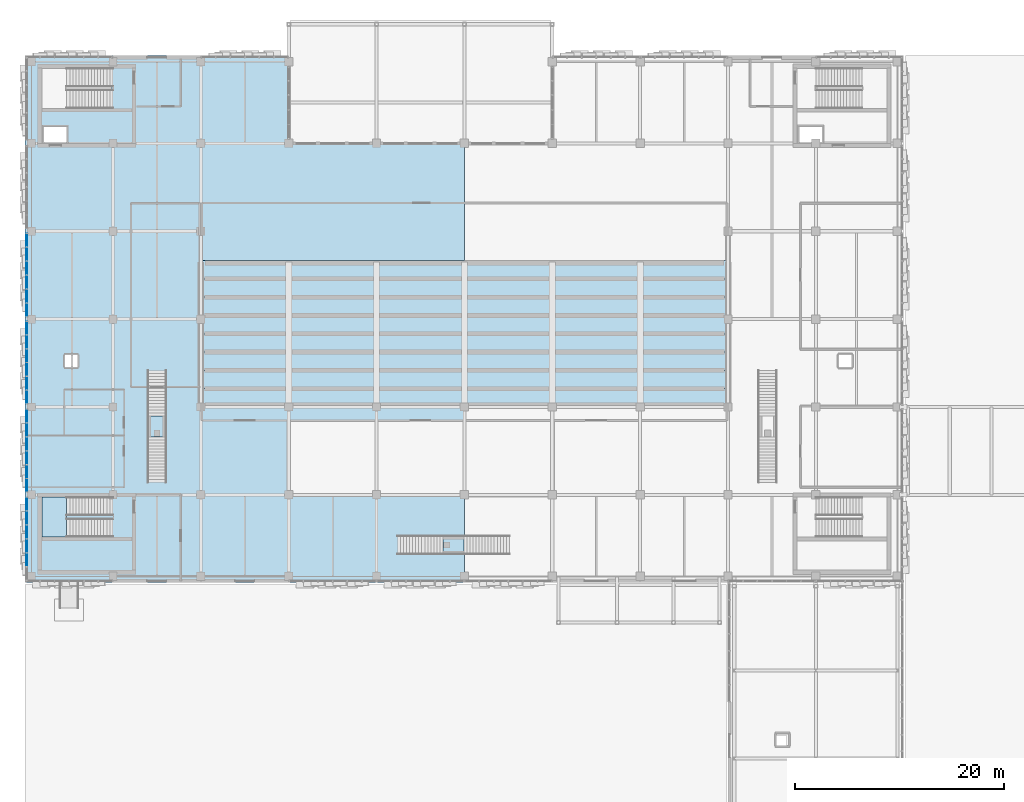
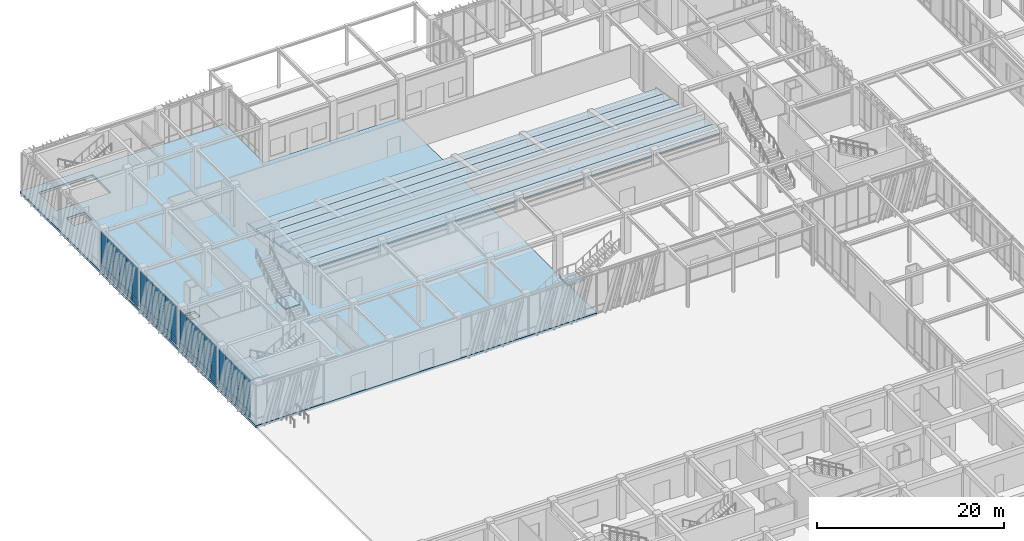
# One storey, part 83 of 122: 46 plates, 12 slabs, 7 elements without a shape of their own.
"""IFC4 building model written with IfcOpenShell, lengths in metres."""

from ifc_helpers import new_model, si_unit, direction, frame, origin, origin_2d, place, context, subcontext, project, spatial, polyline, rectangle, outline, extrude, material, layer, layer_set, type_object, element, aggregate, save


model = new_model("IFC4")

# Units and contexts
model_context = context("Model", 3, precision=1e-05, world=origin(), true_north=direction((0.0, 1.0)))
body_context = subcontext(model_context, "Body", "Model", "MODEL_VIEW")
ifc_project = project(units=[si_unit("LENGTHUNIT", "METRE"), si_unit("AREAUNIT", "SQUARE_METRE"), si_unit("VOLUMEUNIT", "CUBIC_METRE"), si_unit("PLANEANGLEUNIT", "RADIAN"), si_unit("MASSUNIT", "GRAM", prefix="KILO")], contexts=[model_context])

# Site, building, storey
site_placement = place(None, origin())
site = spatial("IfcSite", under=ifc_project, at=site_placement, CompositionType="ELEMENT")
building_placement = place(site_placement, origin())
building = spatial("IfcBuilding", under=site, at=building_placement, Name="Zayran Congress Hotel", CompositionType="ELEMENT")
storey_placement = place(building_placement, origin())
storey = spatial("IfcBuildingStorey", under=building, at=storey_placement, Name="L00", CompositionType="ELEMENT", Elevation=0.0)

# Slabs
ifc_material_1 = material(Name="Concrete C32/40", Category="concrete")
ifc_layer_1 = layer(ifc_material_1, 0.320068359375)
ifc_layer_set_1 = layer_set([ifc_layer_1], Name="Concrete C32/40")
slab_type_1 = type_object("IfcSlabType", Name="SL-PD-320", PredefinedType="FLOOR", material=ifc_layer_set_1)
slab_1_placement = place(storey_placement, frame((0.0, 0.0, -0.320068359375)))
element("IfcSlab", 1, at=slab_1_placement, inside=storey, type_object=slab_type_1, Name="SLB-V1-L00-001", PredefinedType="FLOOR", context=body_context, shape_type="SweptSolid", body=[
    extrude(outline(polyline([(8.39990234375, 67.60009765625), (50.39990234375, 67.60009765625), (50.39990234375, 109.60009765625), (33.60009765625, 109.60009765625), (33.60009765625, 118.0), (8.39990234375, 118.0), (8.39990234375, 67.60009765625)]), holes=[polyline([(10.0, 112.9599609375), (16.659912109375, 112.9599609375), (16.659912109375, 116.800048828125), (10.0, 116.800048828125), (10.0, 112.9599609375)]), polyline([(10.199951171875, 109.60009765625), (12.39990234375, 109.60009765625), (12.39990234375, 111.199951171875), (10.199951171875, 111.199951171875), (10.199951171875, 109.60009765625)]), polyline([(12.199951171875, 88.199951171875), (13.419921875, 88.199951171875), (13.419921875, 89.3798828125), (12.199951171875, 89.3798828125), (12.199951171875, 88.199951171875)])]), origin(), (0.0, 0.0, 1.0), 0.320068359375),
])
ifc_layer_2 = layer(ifc_material_1, 0.179931640625)
ifc_layer_set_2 = layer_set([ifc_layer_2], Name="Concrete C32/40")
slab_type_2 = type_object("IfcSlabType", Name="SL-ST-180", PredefinedType="USERDEFINED", material=ifc_layer_set_2)
slab_2_placement = place(storey_placement, frame((0.0, 0.0, 4.419921875)))
element("IfcSlab", 2, at=slab_2_placement, inside=storey, type_object=slab_type_2, Name="Congress Hall Seating Tier 1", ObjectType="SEATING TIER", PredefinedType="USERDEFINED", context=body_context, shape_type="SweptSolid", body=[
    extrude(outline(polyline([(25.199951171875, 84.39990234375), (75.60009765625, 84.39990234375), (75.60009765625, 86.14990234375), (25.199951171875, 86.14990234375), (25.199951171875, 84.39990234375)])), origin(), (0.0, 0.0, 1.0), 0.18017578125),
])
slab_3_placement = place(storey_placement, frame((0.0, 0.0, 4.02001953125)))
element("IfcSlab", 3, at=slab_3_placement, inside=storey, type_object=slab_type_2, Name="Congress Hall Seating Tier 2", ObjectType="SEATING TIER", PredefinedType="USERDEFINED", context=body_context, shape_type="SweptSolid", body=[
    extrude(outline(polyline([(25.199951171875, 86.14990234375), (75.60009765625, 86.14990234375), (75.60009765625, 87.89990234375), (25.199951171875, 87.89990234375), (25.199951171875, 86.14990234375)])), origin(), (0.0, 0.0, 1.0), 0.179931640625),
])
slab_4_placement = place(storey_placement, frame((0.0, 0.0, 3.6201171875)))
element("IfcSlab", 4, at=slab_4_placement, inside=storey, type_object=slab_type_2, Name="Congress Hall Seating Tier 3", ObjectType="SEATING TIER", PredefinedType="USERDEFINED", context=body_context, shape_type="SweptSolid", body=[
    extrude(outline(polyline([(25.199951171875, 87.89990234375), (75.60009765625, 87.89990234375), (75.60009765625, 89.64990234375), (25.199951171875, 89.64990234375), (25.199951171875, 87.89990234375)])), origin(), (0.0, 0.0, 1.0), 0.179931640625),
])
slab_5_placement = place(storey_placement, frame((0.0, 0.0, 3.219970703125)))
element("IfcSlab", 5, at=slab_5_placement, inside=storey, type_object=slab_type_2, Name="Congress Hall Seating Tier 4", ObjectType="SEATING TIER", PredefinedType="USERDEFINED", context=body_context, shape_type="SweptSolid", body=[
    extrude(outline(polyline([(25.199951171875, 89.64990234375), (75.60009765625, 89.64990234375), (75.60009765625, 91.39990234375), (25.199951171875, 91.39990234375), (25.199951171875, 89.64990234375)])), origin(), (0.0, 0.0, 1.0), 0.179931640625),
])
slab_6_placement = place(storey_placement, frame((0.0, 0.0, 2.820068359375)))
element("IfcSlab", 6, at=slab_6_placement, inside=storey, type_object=slab_type_2, Name="Congress Hall Seating Tier 5", ObjectType="SEATING TIER", PredefinedType="USERDEFINED", context=body_context, shape_type="SweptSolid", body=[
    extrude(outline(polyline([(25.199951171875, 91.39990234375), (75.60009765625, 91.39990234375), (75.60009765625, 93.14990234375), (25.199951171875, 93.14990234375), (25.199951171875, 91.39990234375)])), origin(), (0.0, 0.0, 1.0), 0.179931640625),
])
slab_7_placement = place(storey_placement, frame((0.0, 0.0, 2.419921875)))
element("IfcSlab", 7, at=slab_7_placement, inside=storey, type_object=slab_type_2, Name="Congress Hall Seating Tier 6", ObjectType="SEATING TIER", PredefinedType="USERDEFINED", context=body_context, shape_type="SweptSolid", body=[
    extrude(outline(polyline([(25.199951171875, 93.14990234375), (75.60009765625, 93.14990234375), (75.60009765625, 94.89990234375), (25.199951171875, 94.89990234375), (25.199951171875, 93.14990234375)])), origin(), (0.0, 0.0, 1.0), 0.18017578125),
])
slab_8_placement = place(storey_placement, frame((0.0, 0.0, 2.02001953125)))
element("IfcSlab", 8, at=slab_8_placement, inside=storey, type_object=slab_type_2, Name="Congress Hall Seating Tier 7", ObjectType="SEATING TIER", PredefinedType="USERDEFINED", context=body_context, shape_type="SweptSolid", body=[
    extrude(outline(polyline([(25.199951171875, 94.89990234375), (75.60009765625, 94.89990234375), (75.60009765625, 96.64990234375), (25.199951171875, 96.64990234375), (25.199951171875, 94.89990234375)])), origin(), (0.0, 0.0, 1.0), 0.179931640625),
])
slab_9_placement = place(storey_placement, frame((0.0, 0.0, 1.6201171875)))
element("IfcSlab", 9, at=slab_9_placement, inside=storey, type_object=slab_type_2, Name="Congress Hall Seating Tier 8", ObjectType="SEATING TIER", PredefinedType="USERDEFINED", context=body_context, shape_type="SweptSolid", body=[
    extrude(outline(polyline([(25.199951171875, 96.64990234375), (75.60009765625, 96.64990234375), (75.60009765625, 98.39990234375), (25.199951171875, 98.39990234375), (25.199951171875, 96.64990234375)])), origin(), (0.0, 0.0, 1.0), 0.179931640625),
])

# Curtain wall, plates
ifc_material_2 = material(Name="Anodised aluminium and low-E insulated glass", Category="aluminium")
ifc_layer_3 = layer(ifc_material_2, 0.179931640625)
ifc_layer_set_3 = layer_set([ifc_layer_3], Name="Anodised aluminium and low-E insulated glass")
curtain_wall_type_1 = type_object("IfcCurtainWallType", Name="CW-V1W-L00-CW-31-8040-5080", PredefinedType="USERDEFINED", material=ifc_layer_set_3)
curtain_wall_1_placement = place(storey_placement, origin())
curtain_wall_1 = element("IfcCurtainWall", 10, at=curtain_wall_1_placement, inside=storey, type_object=curtain_wall_type_1, Name="CW-V1W-L00-0", ObjectType="CURTAIN WALL", PredefinedType="USERDEFINED")
ifc_layer_4 = layer(ifc_material_2, 0.028076171875)
ifc_layer_set_4 = layer_set([ifc_layer_4], Name="Anodised aluminium and low-E insulated glass")
plate_type_1 = type_object("IfcPlateType", Name="CWP-GL-1220-4150", PredefinedType="CURTAIN_PANEL", material=ifc_layer_set_4)
plate_1_placement = place(storey_placement, frame((8.550048828125, 75.1298828125, 0.8701171875), z_axis=(0.0, 0.0, 1.0), x_axis=(0.0, 1.0, 0.0)))
plate_1 = element("IfcPlate", 11, at=plate_1_placement, type_object=plate_type_1, Name="CW-31 Glazed Panel 1", PredefinedType="CURTAIN_PANEL", context=body_context, shape_type="SweptSolid", body=[
    extrude(rectangle(XDim=1.219970703125, YDim=0.028076171875, at=origin_2d()), origin(), (0.0, 0.0, 1.0), 4.14990234375),
])
plate_2_placement = place(storey_placement, frame((8.550048828125, 73.81005859375, 0.8701171875), z_axis=(0.0, 0.0, 1.0), x_axis=(0.0, 1.0, 0.0)))
plate_2 = element("IfcPlate", 12, at=plate_2_placement, type_object=plate_type_1, Name="CW-31 Glazed Panel 2", PredefinedType="CURTAIN_PANEL", context=body_context, shape_type="SweptSolid", body=[
    extrude(rectangle(XDim=1.260009765625, YDim=0.028076171875, at=origin_2d()), origin(), (0.0, 0.0, 1.0), 4.14990234375),
])
plate_3_placement = place(storey_placement, frame((8.550048828125, 72.469970703125, 0.8701171875), z_axis=(0.0, 0.0, 1.0), x_axis=(0.0, 1.0, 0.0)))
plate_3 = element("IfcPlate", 13, at=plate_3_placement, type_object=plate_type_1, Name="CW-31 Glazed Panel 3", PredefinedType="CURTAIN_PANEL", context=body_context, shape_type="SweptSolid", body=[
    extrude(rectangle(XDim=1.260009765625, YDim=0.028076171875, at=origin_2d()), origin(), (0.0, 0.0, 1.0), 4.14990234375),
])
plate_4_placement = place(storey_placement, frame((8.550048828125, 71.1298828125, 0.8701171875), z_axis=(0.0, 0.0, 1.0), x_axis=(0.0, 1.0, 0.0)))
plate_4 = element("IfcPlate", 14, at=plate_4_placement, type_object=plate_type_1, Name="CW-31 Glazed Panel 4", PredefinedType="CURTAIN_PANEL", context=body_context, shape_type="SweptSolid", body=[
    extrude(rectangle(XDim=1.260009765625, YDim=0.028076171875, at=origin_2d()), origin(), (0.0, 0.0, 1.0), 4.14990234375),
])
plate_5_placement = place(storey_placement, frame((8.550048828125, 69.7900390625, 0.8701171875), z_axis=(0.0, 0.0, 1.0), x_axis=(0.0, 1.0, 0.0)))
plate_5 = element("IfcPlate", 15, at=plate_5_placement, type_object=plate_type_1, Name="CW-31 Glazed Panel 5", PredefinedType="CURTAIN_PANEL", context=body_context, shape_type="SweptSolid", body=[
    extrude(rectangle(XDim=1.260009765625, YDim=0.028076171875, at=origin_2d()), origin(), (0.0, 0.0, 1.0), 4.14990234375),
])

ifc_layer_5 = layer(ifc_material_2, 0.179931640625)
ifc_layer_set_5 = layer_set([ifc_layer_5], Name="Anodised aluminium and low-E insulated glass")
curtain_wall_type_2 = type_object("IfcCurtainWallType", Name="CW-V1W-L00-CW-32-8040-5080", PredefinedType="USERDEFINED", material=ifc_layer_set_5)
curtain_wall_2_placement = place(storey_placement, origin())
curtain_wall_2 = element("IfcCurtainWall", 16, at=curtain_wall_2_placement, inside=storey, type_object=curtain_wall_type_2, Name="CW-V1W-L00-3", ObjectType="CURTAIN WALL", PredefinedType="USERDEFINED")
plate_6_placement = place(storey_placement, frame((8.550048828125, 100.330078125, 0.8701171875), z_axis=(0.0, 0.0, 1.0), x_axis=(0.0, 1.0, 0.0)))
plate_6 = element("IfcPlate", 17, at=plate_6_placement, type_object=plate_type_1, Name="CW-32 Glazed Panel 1", PredefinedType="CURTAIN_PANEL", context=body_context, shape_type="SweptSolid", body=[
    extrude(rectangle(XDim=1.219970703125, YDim=0.028076171875, at=origin_2d()), origin(), (0.0, 0.0, 1.0), 4.14990234375),
])
plate_7_placement = place(storey_placement, frame((8.550048828125, 99.010009765625, 0.8701171875), z_axis=(0.0, 0.0, 1.0), x_axis=(0.0, 1.0, 0.0)))
plate_7 = element("IfcPlate", 18, at=plate_7_placement, type_object=plate_type_1, Name="CW-32 Glazed Panel 2", PredefinedType="CURTAIN_PANEL", context=body_context, shape_type="SweptSolid", body=[
    extrude(rectangle(XDim=1.260009765625, YDim=0.028076171875, at=origin_2d()), origin(), (0.0, 0.0, 1.0), 4.14990234375),
])
plate_8_placement = place(storey_placement, frame((8.550048828125, 97.669921875, 0.8701171875), z_axis=(0.0, 0.0, 1.0), x_axis=(0.0, 1.0, 0.0)))
plate_8 = element("IfcPlate", 19, at=plate_8_placement, type_object=plate_type_1, Name="CW-32 Glazed Panel 3", PredefinedType="CURTAIN_PANEL", context=body_context, shape_type="SweptSolid", body=[
    extrude(rectangle(XDim=1.260009765625, YDim=0.028076171875, at=origin_2d()), origin(), (0.0, 0.0, 1.0), 4.14990234375),
])
plate_9_placement = place(storey_placement, frame((8.550048828125, 96.330078125, 0.8701171875), z_axis=(0.0, 0.0, 1.0), x_axis=(0.0, 1.0, 0.0)))
plate_9 = element("IfcPlate", 20, at=plate_9_placement, type_object=plate_type_1, Name="CW-32 Glazed Panel 4", PredefinedType="CURTAIN_PANEL", context=body_context, shape_type="SweptSolid", body=[
    extrude(rectangle(XDim=1.260009765625, YDim=0.028076171875, at=origin_2d()), origin(), (0.0, 0.0, 1.0), 4.14990234375),
])
plate_10_placement = place(storey_placement, frame((8.550048828125, 94.989990234375, 0.8701171875), z_axis=(0.0, 0.0, 1.0), x_axis=(0.0, 1.0, 0.0)))
plate_10 = element("IfcPlate", 21, at=plate_10_placement, type_object=plate_type_1, Name="CW-32 Glazed Panel 5", PredefinedType="CURTAIN_PANEL", context=body_context, shape_type="SweptSolid", body=[
    extrude(rectangle(XDim=1.260009765625, YDim=0.028076171875, at=origin_2d()), origin(), (0.0, 0.0, 1.0), 4.14990234375),
])
plate_11_placement = place(storey_placement, frame((8.550048828125, 93.669921875, 0.8701171875), z_axis=(0.0, 0.0, 1.0), x_axis=(0.0, 1.0, 0.0)))
plate_11 = element("IfcPlate", 22, at=plate_11_placement, type_object=plate_type_1, Name="CW-32 Glazed Panel 6", PredefinedType="CURTAIN_PANEL", context=body_context, shape_type="SweptSolid", body=[
    extrude(rectangle(XDim=1.219970703125, YDim=0.028076171875, at=origin_2d()), origin(), (0.0, 0.0, 1.0), 4.14990234375),
])

# Plate
ifc_material_3 = material(Name="Insulated warm bronze aluminium spandrel panel", Category="aluminium")
ifc_layer_6 = layer(ifc_material_3, 0.06005859375)
ifc_layer_set_6 = layer_set([ifc_layer_6], Name="Insulated warm bronze aluminium spandrel panel")
plate_type_2 = type_object("IfcPlateType", Name="CWP-SP-1220-750", PredefinedType="CURTAIN_PANEL", material=ifc_layer_set_6)
plate_12_placement = place(storey_placement, frame((8.550048828125, 75.1298828125, 0.06005859375), z_axis=(0.0, 0.0, 1.0), x_axis=(0.0, 1.0, 0.0)))
plate_12 = element("IfcPlate", 23, at=plate_12_placement, type_object=plate_type_2, Name="CW-31 Spandrel Panel 1", PredefinedType="CURTAIN_PANEL", context=body_context, shape_type="SweptSolid", body=[
    extrude(rectangle(XDim=1.219970703125, YDim=0.06005859375, at=origin_2d()), origin(), (0.0, 0.0, 1.0), 0.75),
])

plate_13_placement = place(storey_placement, frame((8.550048828125, 73.81005859375, 0.06005859375), z_axis=(0.0, 0.0, 1.0), x_axis=(0.0, 1.0, 0.0)))
plate_13 = element("IfcPlate", 24, at=plate_13_placement, type_object=plate_type_2, Name="CW-31 Spandrel Panel 2", PredefinedType="CURTAIN_PANEL", context=body_context, shape_type="SweptSolid", body=[
    extrude(rectangle(XDim=1.260009765625, YDim=0.06005859375, at=origin_2d()), origin(), (0.0, 0.0, 1.0), 0.75),
])

plate_14_placement = place(storey_placement, frame((8.550048828125, 72.469970703125, 0.06005859375), z_axis=(0.0, 0.0, 1.0), x_axis=(0.0, 1.0, 0.0)))
plate_14 = element("IfcPlate", 25, at=plate_14_placement, type_object=plate_type_2, Name="CW-31 Spandrel Panel 3", PredefinedType="CURTAIN_PANEL", context=body_context, shape_type="SweptSolid", body=[
    extrude(rectangle(XDim=1.260009765625, YDim=0.06005859375, at=origin_2d()), origin(), (0.0, 0.0, 1.0), 0.75),
])

plate_15_placement = place(storey_placement, frame((8.550048828125, 71.1298828125, 0.06005859375), z_axis=(0.0, 0.0, 1.0), x_axis=(0.0, 1.0, 0.0)))
plate_15 = element("IfcPlate", 26, at=plate_15_placement, type_object=plate_type_2, Name="CW-31 Spandrel Panel 4", PredefinedType="CURTAIN_PANEL", context=body_context, shape_type="SweptSolid", body=[
    extrude(rectangle(XDim=1.260009765625, YDim=0.06005859375, at=origin_2d()), origin(), (0.0, 0.0, 1.0), 0.75),
])

plate_16_placement = place(storey_placement, frame((8.550048828125, 69.7900390625, 0.06005859375), z_axis=(0.0, 0.0, 1.0), x_axis=(0.0, 1.0, 0.0)))
plate_16 = element("IfcPlate", 27, at=plate_16_placement, type_object=plate_type_2, Name="CW-31 Spandrel Panel 5", PredefinedType="CURTAIN_PANEL", context=body_context, shape_type="SweptSolid", body=[
    extrude(rectangle(XDim=1.260009765625, YDim=0.06005859375, at=origin_2d()), origin(), (0.0, 0.0, 1.0), 0.75),
])

aggregate(curtain_wall_1, [plate_12, plate_1, plate_13, plate_2, plate_14, plate_3, plate_15, plate_4, plate_16, plate_5])

plate_17_placement = place(storey_placement, frame((8.550048828125, 100.330078125, 0.06005859375), z_axis=(0.0, 0.0, 1.0), x_axis=(0.0, 1.0, 0.0)))
plate_17 = element("IfcPlate", 28, at=plate_17_placement, type_object=plate_type_2, Name="CW-32 Spandrel Panel 1", PredefinedType="CURTAIN_PANEL", context=body_context, shape_type="SweptSolid", body=[
    extrude(rectangle(XDim=1.219970703125, YDim=0.06005859375, at=origin_2d()), origin(), (0.0, 0.0, 1.0), 0.75),
])

plate_18_placement = place(storey_placement, frame((8.550048828125, 99.010009765625, 0.06005859375), z_axis=(0.0, 0.0, 1.0), x_axis=(0.0, 1.0, 0.0)))
plate_18 = element("IfcPlate", 29, at=plate_18_placement, type_object=plate_type_2, Name="CW-32 Spandrel Panel 2", PredefinedType="CURTAIN_PANEL", context=body_context, shape_type="SweptSolid", body=[
    extrude(rectangle(XDim=1.260009765625, YDim=0.06005859375, at=origin_2d()), origin(), (0.0, 0.0, 1.0), 0.75),
])

plate_19_placement = place(storey_placement, frame((8.550048828125, 97.669921875, 0.06005859375), z_axis=(0.0, 0.0, 1.0), x_axis=(0.0, 1.0, 0.0)))
plate_19 = element("IfcPlate", 30, at=plate_19_placement, type_object=plate_type_2, Name="CW-32 Spandrel Panel 3", PredefinedType="CURTAIN_PANEL", context=body_context, shape_type="SweptSolid", body=[
    extrude(rectangle(XDim=1.260009765625, YDim=0.06005859375, at=origin_2d()), origin(), (0.0, 0.0, 1.0), 0.75),
])

plate_20_placement = place(storey_placement, frame((8.550048828125, 96.330078125, 0.06005859375), z_axis=(0.0, 0.0, 1.0), x_axis=(0.0, 1.0, 0.0)))
plate_20 = element("IfcPlate", 31, at=plate_20_placement, type_object=plate_type_2, Name="CW-32 Spandrel Panel 4", PredefinedType="CURTAIN_PANEL", context=body_context, shape_type="SweptSolid", body=[
    extrude(rectangle(XDim=1.260009765625, YDim=0.06005859375, at=origin_2d()), origin(), (0.0, 0.0, 1.0), 0.75),
])

plate_21_placement = place(storey_placement, frame((8.550048828125, 94.989990234375, 0.06005859375), z_axis=(0.0, 0.0, 1.0), x_axis=(0.0, 1.0, 0.0)))
plate_21 = element("IfcPlate", 32, at=plate_21_placement, type_object=plate_type_2, Name="CW-32 Spandrel Panel 5", PredefinedType="CURTAIN_PANEL", context=body_context, shape_type="SweptSolid", body=[
    extrude(rectangle(XDim=1.260009765625, YDim=0.06005859375, at=origin_2d()), origin(), (0.0, 0.0, 1.0), 0.75),
])

plate_22_placement = place(storey_placement, frame((8.550048828125, 93.669921875, 0.06005859375), z_axis=(0.0, 0.0, 1.0), x_axis=(0.0, 1.0, 0.0)))
plate_22 = element("IfcPlate", 33, at=plate_22_placement, type_object=plate_type_2, Name="CW-32 Spandrel Panel 6", PredefinedType="CURTAIN_PANEL", context=body_context, shape_type="SweptSolid", body=[
    extrude(rectangle(XDim=1.219970703125, YDim=0.06005859375, at=origin_2d()), origin(), (0.0, 0.0, 1.0), 0.75),
])

aggregate(curtain_wall_2, [plate_17, plate_6, plate_18, plate_7, plate_19, plate_8, plate_20, plate_9, plate_21, plate_10, plate_22, plate_11])

# Curtain wall, plates
ifc_layer_7 = layer(ifc_material_2, 0.179931640625)
ifc_layer_set_7 = layer_set([ifc_layer_7], Name="Anodised aluminium and low-E insulated glass")
curtain_wall_type_3 = type_object("IfcCurtainWallType", Name="CW-V1W-L00-CW-32-7990-5080", PredefinedType="USERDEFINED", material=ifc_layer_set_7)
curtain_wall_3_placement = place(storey_placement, origin())
curtain_wall_3 = element("IfcCurtainWall", 34, at=curtain_wall_3_placement, inside=storey, type_object=curtain_wall_type_3, Name="CW-V1W-L00-1", ObjectType="CURTAIN WALL", PredefinedType="USERDEFINED")
ifc_layer_8 = layer(ifc_material_2, 0.028076171875)
ifc_layer_set_8 = layer_set([ifc_layer_8], Name="Anodised aluminium and low-E insulated glass")
plate_type_3 = type_object("IfcPlateType", Name="CWP-GL-1212-4150", PredefinedType="CURTAIN_PANEL", material=ifc_layer_set_8)
plate_23_placement = place(storey_placement, frame((8.550048828125, 83.5341796875, 0.8701171875), z_axis=(0.0, 0.0, 1.0), x_axis=(0.0, 1.0, 0.0)))
plate_23 = element("IfcPlate", 35, at=plate_23_placement, type_object=plate_type_3, Name="CW-32 Glazed Panel 1", PredefinedType="CURTAIN_PANEL", context=body_context, shape_type="SweptSolid", body=[
    extrude(rectangle(XDim=1.211669921875, YDim=0.028076171875, at=origin_2d()), origin(), (0.0, 0.0, 1.0), 4.14990234375),
])
plate_24_placement = place(storey_placement, frame((8.550048828125, 82.222412109375, 0.8701171875), z_axis=(0.0, 0.0, 1.0), x_axis=(0.0, 1.0, 0.0)))
plate_24 = element("IfcPlate", 36, at=plate_24_placement, type_object=plate_type_3, Name="CW-32 Glazed Panel 2", PredefinedType="CURTAIN_PANEL", context=body_context, shape_type="SweptSolid", body=[
    extrude(rectangle(XDim=1.251708984375, YDim=0.028076171875, at=origin_2d()), origin(), (0.0, 0.0, 1.0), 4.14990234375),
])
plate_25_placement = place(storey_placement, frame((8.550048828125, 80.890869140625, 0.8701171875), z_axis=(0.0, 0.0, 1.0), x_axis=(0.0, 1.0, 0.0)))
plate_25 = element("IfcPlate", 37, at=plate_25_placement, type_object=plate_type_3, Name="CW-32 Glazed Panel 3", PredefinedType="CURTAIN_PANEL", context=body_context, shape_type="SweptSolid", body=[
    extrude(rectangle(XDim=1.251708984375, YDim=0.028076171875, at=origin_2d()), origin(), (0.0, 0.0, 1.0), 4.14990234375),
])
plate_26_placement = place(storey_placement, frame((8.550048828125, 79.55908203125, 0.8701171875), z_axis=(0.0, 0.0, 1.0), x_axis=(0.0, 1.0, 0.0)))
plate_26 = element("IfcPlate", 38, at=plate_26_placement, type_object=plate_type_3, Name="CW-32 Glazed Panel 4", PredefinedType="CURTAIN_PANEL", context=body_context, shape_type="SweptSolid", body=[
    extrude(rectangle(XDim=1.251708984375, YDim=0.028076171875, at=origin_2d()), origin(), (0.0, 0.0, 1.0), 4.14990234375),
])
plate_27_placement = place(storey_placement, frame((8.550048828125, 78.2275390625, 0.8701171875), z_axis=(0.0, 0.0, 1.0), x_axis=(0.0, 1.0, 0.0)))
plate_27 = element("IfcPlate", 39, at=plate_27_placement, type_object=plate_type_3, Name="CW-32 Glazed Panel 5", PredefinedType="CURTAIN_PANEL", context=body_context, shape_type="SweptSolid", body=[
    extrude(rectangle(XDim=1.251708984375, YDim=0.028076171875, at=origin_2d()), origin(), (0.0, 0.0, 1.0), 4.14990234375),
])
plate_28_placement = place(storey_placement, frame((8.550048828125, 76.915771484375, 0.8701171875), z_axis=(0.0, 0.0, 1.0), x_axis=(0.0, 1.0, 0.0)))
plate_28 = element("IfcPlate", 40, at=plate_28_placement, type_object=plate_type_3, Name="CW-32 Glazed Panel 6", PredefinedType="CURTAIN_PANEL", context=body_context, shape_type="SweptSolid", body=[
    extrude(rectangle(XDim=1.211669921875, YDim=0.028076171875, at=origin_2d()), origin(), (0.0, 0.0, 1.0), 4.14990234375),
])
ifc_layer_9 = layer(ifc_material_3, 0.06005859375)
ifc_layer_set_9 = layer_set([ifc_layer_9], Name="Insulated warm bronze aluminium spandrel panel")
plate_type_4 = type_object("IfcPlateType", Name="CWP-SP-1212-750", PredefinedType="CURTAIN_PANEL", material=ifc_layer_set_9)
plate_29_placement = place(storey_placement, frame((8.550048828125, 83.5341796875, 0.06005859375), z_axis=(0.0, 0.0, 1.0), x_axis=(0.0, 1.0, 0.0)))
plate_29 = element("IfcPlate", 41, at=plate_29_placement, type_object=plate_type_4, Name="CW-32 Spandrel Panel 1", PredefinedType="CURTAIN_PANEL", context=body_context, shape_type="SweptSolid", body=[
    extrude(rectangle(XDim=1.211669921875, YDim=0.06005859375, at=origin_2d()), origin(), (0.0, 0.0, 1.0), 0.75),
])
plate_30_placement = place(storey_placement, frame((8.550048828125, 82.222412109375, 0.06005859375), z_axis=(0.0, 0.0, 1.0), x_axis=(0.0, 1.0, 0.0)))
plate_30 = element("IfcPlate", 42, at=plate_30_placement, type_object=plate_type_4, Name="CW-32 Spandrel Panel 2", PredefinedType="CURTAIN_PANEL", context=body_context, shape_type="SweptSolid", body=[
    extrude(rectangle(XDim=1.251708984375, YDim=0.06005859375, at=origin_2d()), origin(), (0.0, 0.0, 1.0), 0.75),
])
plate_31_placement = place(storey_placement, frame((8.550048828125, 80.890869140625, 0.06005859375), z_axis=(0.0, 0.0, 1.0), x_axis=(0.0, 1.0, 0.0)))
plate_31 = element("IfcPlate", 43, at=plate_31_placement, type_object=plate_type_4, Name="CW-32 Spandrel Panel 3", PredefinedType="CURTAIN_PANEL", context=body_context, shape_type="SweptSolid", body=[
    extrude(rectangle(XDim=1.251708984375, YDim=0.06005859375, at=origin_2d()), origin(), (0.0, 0.0, 1.0), 0.75),
])
plate_32_placement = place(storey_placement, frame((8.550048828125, 79.55908203125, 0.06005859375), z_axis=(0.0, 0.0, 1.0), x_axis=(0.0, 1.0, 0.0)))
plate_32 = element("IfcPlate", 44, at=plate_32_placement, type_object=plate_type_4, Name="CW-32 Spandrel Panel 4", PredefinedType="CURTAIN_PANEL", context=body_context, shape_type="SweptSolid", body=[
    extrude(rectangle(XDim=1.251708984375, YDim=0.06005859375, at=origin_2d()), origin(), (0.0, 0.0, 1.0), 0.75),
])
plate_33_placement = place(storey_placement, frame((8.550048828125, 78.2275390625, 0.06005859375), z_axis=(0.0, 0.0, 1.0), x_axis=(0.0, 1.0, 0.0)))
plate_33 = element("IfcPlate", 45, at=plate_33_placement, type_object=plate_type_4, Name="CW-32 Spandrel Panel 5", PredefinedType="CURTAIN_PANEL", context=body_context, shape_type="SweptSolid", body=[
    extrude(rectangle(XDim=1.251708984375, YDim=0.06005859375, at=origin_2d()), origin(), (0.0, 0.0, 1.0), 0.75),
])
plate_34_placement = place(storey_placement, frame((8.550048828125, 76.915771484375, 0.06005859375), z_axis=(0.0, 0.0, 1.0), x_axis=(0.0, 1.0, 0.0)))
plate_34 = element("IfcPlate", 46, at=plate_34_placement, type_object=plate_type_4, Name="CW-32 Spandrel Panel 6", PredefinedType="CURTAIN_PANEL", context=body_context, shape_type="SweptSolid", body=[
    extrude(rectangle(XDim=1.211669921875, YDim=0.06005859375, at=origin_2d()), origin(), (0.0, 0.0, 1.0), 0.75),
])
aggregate(curtain_wall_3, [plate_29, plate_23, plate_30, plate_24, plate_31, plate_25, plate_32, plate_26, plate_33, plate_27, plate_34, plate_28])

ifc_layer_10 = layer(ifc_material_2, 0.179931640625)
ifc_layer_set_10 = layer_set([ifc_layer_10], Name="Anodised aluminium and low-E insulated glass")
curtain_wall_type_4 = type_object("IfcCurtainWallType", Name="CW-V1W-L00-CW-31-7940-5080", PredefinedType="USERDEFINED", material=ifc_layer_set_10)
curtain_wall_4_placement = place(storey_placement, origin())
curtain_wall_4 = element("IfcCurtainWall", 47, at=curtain_wall_4_placement, inside=storey, type_object=curtain_wall_type_4, Name="CW-V1W-L00-2", ObjectType="CURTAIN WALL", PredefinedType="USERDEFINED")
ifc_layer_11 = layer(ifc_material_2, 0.028076171875)
ifc_layer_set_11 = layer_set([ifc_layer_11], Name="Anodised aluminium and low-E insulated glass")
plate_type_5 = type_object("IfcPlateType", Name="CWP-GL-1203-4150", PredefinedType="CURTAIN_PANEL", material=ifc_layer_set_11)
plate_35_placement = place(storey_placement, frame((8.550048828125, 91.938232421875, 0.8701171875), z_axis=(0.0, 0.0, 1.0), x_axis=(0.0, 1.0, 0.0)))
plate_35 = element("IfcPlate", 48, at=plate_35_placement, type_object=plate_type_5, Name="CW-31 Glazed Panel 1", PredefinedType="CURTAIN_PANEL", context=body_context, shape_type="SweptSolid", body=[
    extrude(rectangle(XDim=1.203369140625, YDim=0.028076171875, at=origin_2d()), origin(), (0.0, 0.0, 1.0), 4.14990234375),
])
plate_36_placement = place(storey_placement, frame((8.550048828125, 90.635009765625, 0.8701171875), z_axis=(0.0, 0.0, 1.0), x_axis=(0.0, 1.0, 0.0)))
plate_36 = element("IfcPlate", 49, at=plate_36_placement, type_object=plate_type_5, Name="CW-31 Glazed Panel 2", PredefinedType="CURTAIN_PANEL", context=body_context, shape_type="SweptSolid", body=[
    extrude(rectangle(XDim=1.243408203125, YDim=0.028076171875, at=origin_2d()), origin(), (0.0, 0.0, 1.0), 4.14990234375),
])
plate_37_placement = place(storey_placement, frame((8.550048828125, 89.311767578125, 0.8701171875), z_axis=(0.0, 0.0, 1.0), x_axis=(0.0, 1.0, 0.0)))
plate_37 = element("IfcPlate", 50, at=plate_37_placement, type_object=plate_type_5, Name="CW-31 Glazed Panel 3", PredefinedType="CURTAIN_PANEL", context=body_context, shape_type="SweptSolid", body=[
    extrude(rectangle(XDim=1.243408203125, YDim=0.028076171875, at=origin_2d()), origin(), (0.0, 0.0, 1.0), 4.14990234375),
])
plate_38_placement = place(storey_placement, frame((8.550048828125, 87.98828125, 0.8701171875), z_axis=(0.0, 0.0, 1.0), x_axis=(0.0, 1.0, 0.0)))
plate_38 = element("IfcPlate", 51, at=plate_38_placement, type_object=plate_type_5, Name="CW-31 Glazed Panel 4", PredefinedType="CURTAIN_PANEL", context=body_context, shape_type="SweptSolid", body=[
    extrude(rectangle(XDim=1.243408203125, YDim=0.028076171875, at=origin_2d()), origin(), (0.0, 0.0, 1.0), 4.14990234375),
])
plate_39_placement = place(storey_placement, frame((8.550048828125, 86.6650390625, 0.8701171875), z_axis=(0.0, 0.0, 1.0), x_axis=(0.0, 1.0, 0.0)))
plate_39 = element("IfcPlate", 52, at=plate_39_placement, type_object=plate_type_5, Name="CW-31 Glazed Panel 5", PredefinedType="CURTAIN_PANEL", context=body_context, shape_type="SweptSolid", body=[
    extrude(rectangle(XDim=1.243408203125, YDim=0.028076171875, at=origin_2d()), origin(), (0.0, 0.0, 1.0), 4.14990234375),
])
plate_40_placement = place(storey_placement, frame((8.550048828125, 85.36181640625, 0.8701171875), z_axis=(0.0, 0.0, 1.0), x_axis=(0.0, 1.0, 0.0)))
plate_40 = element("IfcPlate", 53, at=plate_40_placement, type_object=plate_type_5, Name="CW-31 Glazed Panel 6", PredefinedType="CURTAIN_PANEL", context=body_context, shape_type="SweptSolid", body=[
    extrude(rectangle(XDim=1.203369140625, YDim=0.028076171875, at=origin_2d()), origin(), (0.0, 0.0, 1.0), 4.14990234375),
])
ifc_layer_12 = layer(ifc_material_3, 0.06005859375)
ifc_layer_set_12 = layer_set([ifc_layer_12], Name="Insulated warm bronze aluminium spandrel panel")
plate_type_6 = type_object("IfcPlateType", Name="CWP-SP-1203-750", PredefinedType="CURTAIN_PANEL", material=ifc_layer_set_12)
plate_41_placement = place(storey_placement, frame((8.550048828125, 91.938232421875, 0.06005859375), z_axis=(0.0, 0.0, 1.0), x_axis=(0.0, 1.0, 0.0)))
plate_41 = element("IfcPlate", 54, at=plate_41_placement, type_object=plate_type_6, Name="CW-31 Spandrel Panel 1", PredefinedType="CURTAIN_PANEL", context=body_context, shape_type="SweptSolid", body=[
    extrude(rectangle(XDim=1.203369140625, YDim=0.06005859375, at=origin_2d()), origin(), (0.0, 0.0, 1.0), 0.75),
])
plate_42_placement = place(storey_placement, frame((8.550048828125, 90.635009765625, 0.06005859375), z_axis=(0.0, 0.0, 1.0), x_axis=(0.0, 1.0, 0.0)))
plate_42 = element("IfcPlate", 55, at=plate_42_placement, type_object=plate_type_6, Name="CW-31 Spandrel Panel 2", PredefinedType="CURTAIN_PANEL", context=body_context, shape_type="SweptSolid", body=[
    extrude(rectangle(XDim=1.243408203125, YDim=0.06005859375, at=origin_2d()), origin(), (0.0, 0.0, 1.0), 0.75),
])
plate_43_placement = place(storey_placement, frame((8.550048828125, 89.311767578125, 0.06005859375), z_axis=(0.0, 0.0, 1.0), x_axis=(0.0, 1.0, 0.0)))
plate_43 = element("IfcPlate", 56, at=plate_43_placement, type_object=plate_type_6, Name="CW-31 Spandrel Panel 3", PredefinedType="CURTAIN_PANEL", context=body_context, shape_type="SweptSolid", body=[
    extrude(rectangle(XDim=1.243408203125, YDim=0.06005859375, at=origin_2d()), origin(), (0.0, 0.0, 1.0), 0.75),
])
plate_44_placement = place(storey_placement, frame((8.550048828125, 87.98828125, 0.06005859375), z_axis=(0.0, 0.0, 1.0), x_axis=(0.0, 1.0, 0.0)))
plate_44 = element("IfcPlate", 57, at=plate_44_placement, type_object=plate_type_6, Name="CW-31 Spandrel Panel 4", PredefinedType="CURTAIN_PANEL", context=body_context, shape_type="SweptSolid", body=[
    extrude(rectangle(XDim=1.243408203125, YDim=0.06005859375, at=origin_2d()), origin(), (0.0, 0.0, 1.0), 0.75),
])
plate_45_placement = place(storey_placement, frame((8.550048828125, 86.6650390625, 0.06005859375), z_axis=(0.0, 0.0, 1.0), x_axis=(0.0, 1.0, 0.0)))
plate_45 = element("IfcPlate", 58, at=plate_45_placement, type_object=plate_type_6, Name="CW-31 Spandrel Panel 5", PredefinedType="CURTAIN_PANEL", context=body_context, shape_type="SweptSolid", body=[
    extrude(rectangle(XDim=1.243408203125, YDim=0.06005859375, at=origin_2d()), origin(), (0.0, 0.0, 1.0), 0.75),
])
plate_46_placement = place(storey_placement, frame((8.550048828125, 85.36181640625, 0.06005859375), z_axis=(0.0, 0.0, 1.0), x_axis=(0.0, 1.0, 0.0)))
plate_46 = element("IfcPlate", 59, at=plate_46_placement, type_object=plate_type_6, Name="CW-31 Spandrel Panel 6", PredefinedType="CURTAIN_PANEL", context=body_context, shape_type="SweptSolid", body=[
    extrude(rectangle(XDim=1.203369140625, YDim=0.06005859375, at=origin_2d()), origin(), (0.0, 0.0, 1.0), 0.75),
])
aggregate(curtain_wall_4, [plate_41, plate_35, plate_42, plate_36, plate_43, plate_37, plate_44, plate_38, plate_45, plate_39, plate_46, plate_40])

# Stair, slab
stair_type_1 = type_object("IfcStairType", Name="TP-STR-VOM", PredefinedType="STRAIGHT_RUN_STAIR", material=ifc_material_1)
stair_1_placement = place(storey_placement, origin())
stair_1 = element("IfcStair", 60, at=stair_1_placement, inside=storey, type_object=stair_type_1, Name="Straight Run Concourse Stair ST-VOM-01", PredefinedType="STRAIGHT_RUN_STAIR")
ifc_layer_13 = layer(ifc_material_1, 0.199951171875)
ifc_layer_set_13 = layer_set([ifc_layer_13], Name="Concrete C32/40")
slab_type_3 = type_object("IfcSlabType", Name="TP-LND-1600", PredefinedType="LANDING", material=ifc_layer_set_13)
slab_10_placement = place(storey_placement, frame((0.0, 0.0, 2.5)))
slab_10 = element("IfcSlab", 61, at=slab_10_placement, type_object=slab_type_3, Name="ST-VOM-01 landing 1", PredefinedType="LANDING", context=body_context, shape_type="SweptSolid", body=[
    extrude(outline(polyline([(21.89990234375, 81.550048828125), (21.89990234375, 83.550048828125), (20.10009765625, 83.550048828125), (20.10009765625, 81.550048828125), (21.89990234375, 81.550048828125)])), origin(), (0.0, 0.0, 1.0), 0.199951171875),
])
aggregate(stair_1, [slab_10])

stair_2_placement = place(storey_placement, origin())
stair_2 = element("IfcStair", 62, at=stair_2_placement, inside=storey, type_object=stair_type_1, Name="Straight Run Concourse Stair ST-FOY-03", PredefinedType="STRAIGHT_RUN_STAIR")
slab_11_placement = place(storey_placement, frame((0.0, 0.0, 2.5)))
slab_11 = element("IfcSlab", 63, at=slab_11_placement, type_object=slab_type_3, Name="ST-FOY-03 landing 1", PredefinedType="LANDING", context=body_context, shape_type="SweptSolid", body=[
    extrude(outline(polyline([(48.35009765625, 70.300048828125), (50.35009765625, 70.300048828125), (50.35009765625, 72.10009765625), (48.35009765625, 72.10009765625), (48.35009765625, 70.300048828125)])), origin(), (0.0, 0.0, 1.0), 0.199951171875),
])
aggregate(stair_2, [slab_11])

stair_type_2 = type_object("IfcStairType", Name="TP-STR-1800-54", PredefinedType="USERDEFINED", material=ifc_material_1)
stair_3_placement = place(storey_placement, origin())
stair_3 = element("IfcStair", 64, at=stair_3_placement, inside=storey, type_object=stair_type_2, Name="L00 ST-05", ObjectType="TWO_RETURN_STAIR", PredefinedType="USERDEFINED")
ifc_layer_14 = layer(ifc_material_1, 0.199951171875)
ifc_layer_set_14 = layer_set([ifc_layer_14], Name="Concrete C32/40")
slab_type_4 = type_object("IfcSlabType", Name="TP-LND-1800", PredefinedType="LANDING", material=ifc_layer_set_14)
slab_12_placement = place(storey_placement, frame((0.0, 0.0, 2.5)))
slab_12 = element("IfcSlab", 65, at=slab_12_placement, type_object=slab_type_4, Name="ST-05 landing 1", PredefinedType="LANDING", context=body_context, shape_type="SweptSolid", body=[
    extrude(outline(polyline([(12.375, 75.800048828125), (10.0, 75.800048828125), (10.0, 71.9599609375), (12.375, 71.9599609375), (12.375, 75.800048828125)])), origin(), (0.0, 0.0, 1.0), 0.199951171875),
])
aggregate(stair_3, [slab_12])

save(model, "model.ifc")
